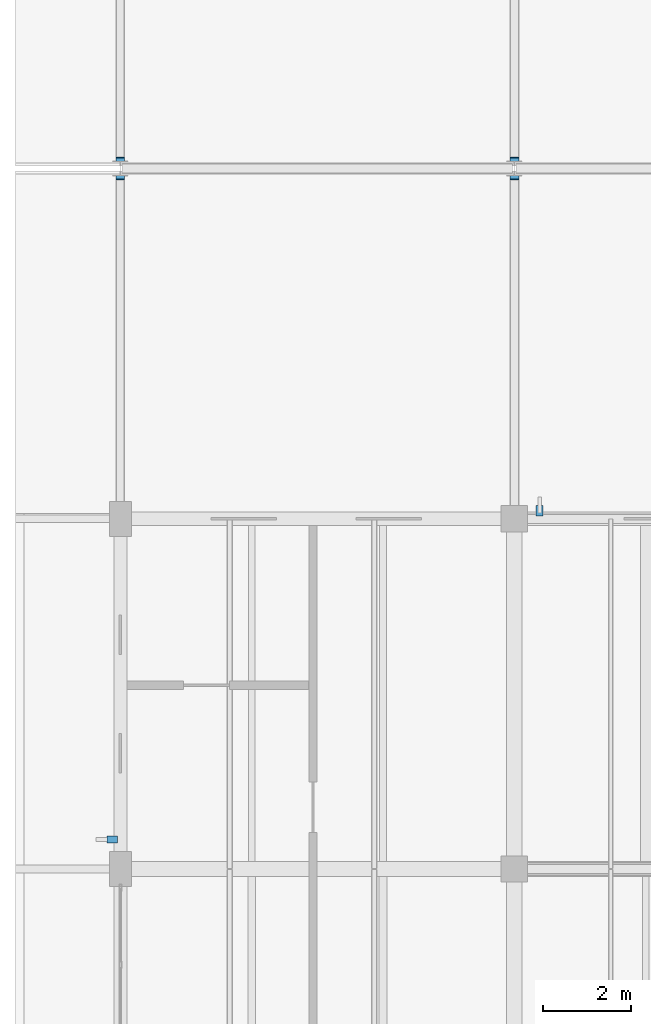
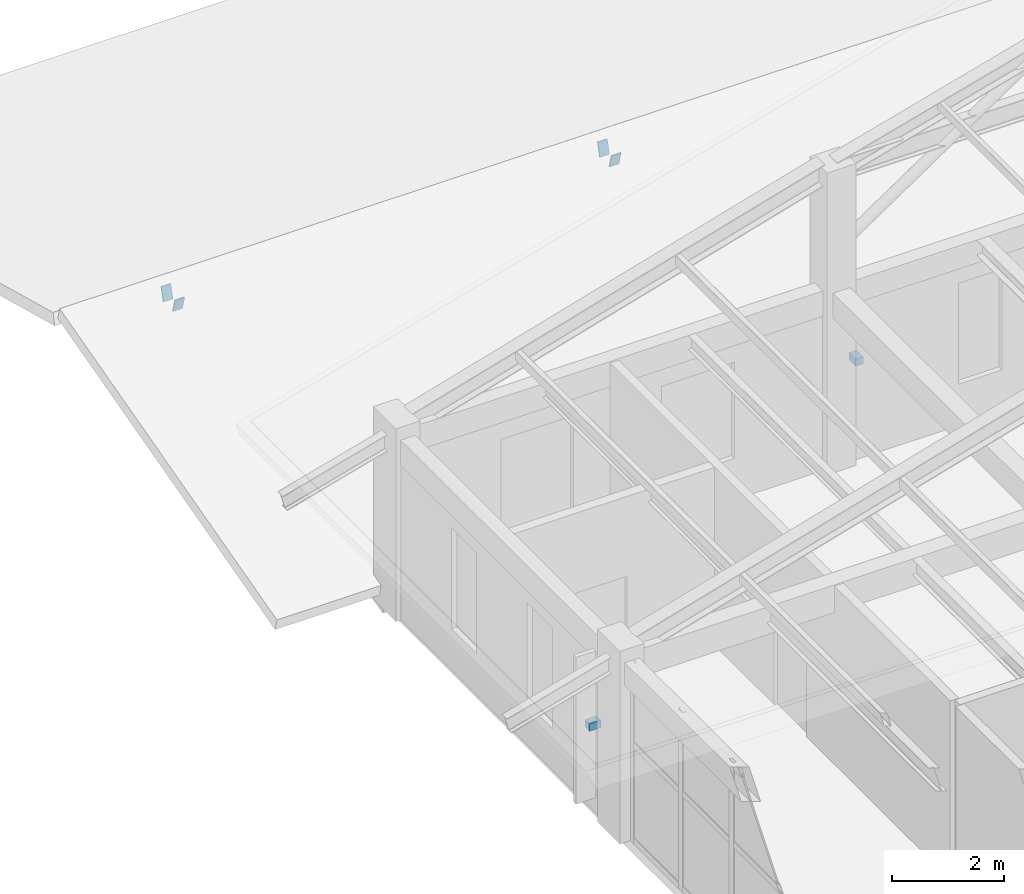
# One storey, part 51 of 58: 6 discrete accessories.
"""IFC4 building model written with IfcOpenShell, lengths in metres."""

import ifcopenshell
import ifcopenshell.guid

model = None  # the IFC model being written
_history = None  # IfcOwnerHistory: only IFC2X3 demands one
_inside = {}  # id of a spatial element -> (the spatial element, [elements in it])
_under = {}  # id of a project, library or spatial element -> (it, [spatial elements below it])
_declared = {}  # id of a project -> (the project, [libraries it declares])
_typed = {}  # id of a type object -> (the type object, [elements of that type])
_made_of = {}  # id of a material, layer set ... -> (it, [elements and type objects made of it])


def new_model(schema):
    """Start an empty IFC model of exactly this schema.

    Asked for "IFC4X3", IfcOpenShell would pick the latest addendum, in which some entities
    have other attributes; the version numbers below select the first issue.
    IFC2X3 requires an IfcOwnerHistory on every rooted entity: one is made here for all.
    """
    global model, _history
    if schema == "IFC4X3":
        model = ifcopenshell.file(schema_version=(4, 3, 0, 0))
    else:
        model = ifcopenshell.file(schema=schema)
    _inside.clear()
    _under.clear()
    _declared.clear()
    _typed.clear()
    _made_of.clear()
    _history = None
    if model.schema == "IFC2X3":
        org = make("IfcOrganization", Name="unknown")
        user = make(
            "IfcPersonAndOrganization",
            ThePerson=make("IfcPerson", FamilyName="unknown"),
            TheOrganization=org,
        )
        app = make(
            "IfcApplication",
            ApplicationDeveloper=org,
            Version="unknown",
            ApplicationFullName="unknown",
            ApplicationIdentifier="unknown",
        )
        _history = make(
            "IfcOwnerHistory",
            OwningUser=user,
            OwningApplication=app,
            ChangeAction="ADDED",
            CreationDate=0,
        )
    return model


def make(cls, **values):
    """One entity of the class cls with the attributes given. An attribute that is None is left unset."""
    return model.create_entity(
        cls, **{name: value for name, value in values.items() if value is not None}
    )


def rooted(cls, **values):
    """An entity with a GlobalId (a new one), such as an element, a storey or a relation."""
    return make(cls, GlobalId=ifcopenshell.guid.new(), OwnerHistory=_history, **values)


def si_unit(unit_type, name, prefix=None):
    """IfcSIUnit, for example si_unit("LENGTHUNIT", "METRE", prefix="MILLI")."""
    return make("IfcSIUnit", UnitType=unit_type, Prefix=prefix, Name=name)


def derived_unit(unit_type, elements):
    """IfcDerivedUnit: a product of units, each with its exponent."""
    return make(
        "IfcDerivedUnit",
        Elements=[
            make("IfcDerivedUnitElement", Unit=unit, Exponent=power)
            for unit, power in elements
        ],
        UnitType=unit_type,
    )


def assignment(units):
    """IfcUnitAssignment: the units of a project."""
    return None if units is None else make("IfcUnitAssignment", Units=units)


def point(xyz):
    """IfcCartesianPoint."""
    return None if xyz is None else make("IfcCartesianPoint", Coordinates=xyz)


def direction(xyz):
    """IfcDirection."""
    return None if xyz is None else make("IfcDirection", DirectionRatios=xyz)


def frame(location, z_axis=None, x_axis=None):
    """IfcAxis2Placement3D, a coordinate frame: its origin and axes. An axis left out is left unset."""
    return make(
        "IfcAxis2Placement3D",
        Location=point(location),
        Axis=direction(z_axis),
        RefDirection=direction(x_axis),
    )


def frame_2d(location, x_axis=None):
    """IfcAxis2Placement2D, a coordinate frame in the plane: its origin and x axis."""
    return make(
        "IfcAxis2Placement2D", Location=point(location), RefDirection=direction(x_axis)
    )


def origin():
    """The frame at (0, 0, 0) with its axes left unset."""
    return frame((0.0, 0.0, 0.0))


def origin_2d():
    """The frame at (0, 0) in the plane with its x axis left unset."""
    return frame_2d((0.0, 0.0))


def place(relative_to, where):
    """IfcLocalPlacement: puts the frame where relative to a parent placement (None: the world)."""
    return make(
        "IfcLocalPlacement", PlacementRelTo=relative_to, RelativePlacement=where
    )


def context(
    kind, dimensions, precision=None, world=None, true_north=None, identifier=None
):
    """IfcGeometricRepresentationContext, for example the 3D "Model" context."""
    return make(
        "IfcGeometricRepresentationContext",
        ContextIdentifier=identifier,
        ContextType=kind,
        CoordinateSpaceDimension=dimensions,
        Precision=precision,
        WorldCoordinateSystem=world,
        TrueNorth=true_north,
    )


def subcontext(parent, identifier, kind, view, scale=None):
    """IfcGeometricRepresentationSubContext, for example "Body" below "Model"."""
    return make(
        "IfcGeometricRepresentationSubContext",
        ContextIdentifier=identifier,
        ContextType=kind,
        ParentContext=parent,
        TargetScale=scale,
        TargetView=view,
    )


def project(units=None, contexts=None):
    """IfcProject with its units and contexts."""
    return rooted(
        "IfcProject",
        Name="project",
        RepresentationContexts=contexts,
        UnitsInContext=assignment(units),
    )


def spatial(cls, under=None, at=None, **own):
    """A site, building, storey or space (cls), placed at a placement, below another one or the project."""
    s = rooted(cls, ObjectPlacement=at, **own)
    if under is not None:
        _under.setdefault(under.id(), (under, []))[1].append(s)
    return s


def profile(cls, at=None, kind="AREA", **sizes):
    """A parametric profile (cls). Its sizes go by their IFC names, for example OverallWidth=200.0."""
    return make(cls, ProfileType=kind, Position=at, **sizes)


def rectangle(**sizes):
    """IfcRectangleProfileDef."""
    return profile("IfcRectangleProfileDef", **sizes)


def extrude(swept, where, along, depth):
    """IfcExtrudedAreaSolid: the profile swept, set in the frame where, extruded along a direction by depth."""
    return make(
        "IfcExtrudedAreaSolid",
        SweptArea=swept,
        Position=where,
        ExtrudedDirection=direction(along),
        Depth=depth,
    )


def shape(context_of_items, identifier, shape_type, items):
    """IfcShapeRepresentation: the items that make up one representation, for example the "Body"."""
    return make(
        "IfcShapeRepresentation",
        ContextOfItems=context_of_items,
        RepresentationIdentifier=identifier,
        RepresentationType=shape_type,
        Items=items,
    )


def material(Name=None, Category=None):
    """IfcMaterial."""
    return make("IfcMaterial", Name=Name, Category=Category)


def made_of(thing, what):
    """Note that an element or type object is made of a material, layer set ...; save() writes the relation."""
    if what is not None:
        _made_of.setdefault(what.id(), (what, []))[1].append(thing)
    return thing


def type_object(cls, material=None, **own):
    """A type object (cls), such as IfcWallType, which elements share."""
    return made_of(rooted(cls, **own), material)


def element(
    cls,
    number,
    at=None,
    inside=None,
    cuts=None,
    type_object=None,
    material=None,
    context=None,
    identifier="Body",
    shape_type=None,
    held_by="IfcProductDefinitionShape",
    body=None,
    shapes=None,
    **own,
):
    """One element of the class cls, such as IfcWall. Its Tag is "e" and its number.

    at: its placement. inside: the storey or other place that contains it. cuts: it is an
    opening in that element (IfcRelVoidsElement). A single representation is given by context,
    identifier, shape_type and body (its items); several are given by shapes. held_by: the class
    of the entity that holds the representations. save() writes the other relations.
    """
    e = rooted(cls, Tag="e%d" % number, ObjectPlacement=at, **own)
    if body is not None:
        shapes = [shape(context, identifier, shape_type, body)]
    if shapes is not None:
        e.Representation = make(held_by, Representations=shapes)
    if inside is not None:
        _inside.setdefault(inside.id(), (inside, []))[1].append(e)
    if cuts is not None:
        rooted(
            "IfcRelVoidsElement", RelatingBuildingElement=cuts, RelatedOpeningElement=e
        )
    if type_object is not None:
        _typed.setdefault(type_object.id(), (type_object, []))[1].append(e)
    return made_of(e, material)


def aggregate(whole, parts):
    """IfcRelAggregates: a whole, such as a stair, and the parts it consists of."""
    return rooted("IfcRelAggregates", RelatingObject=whole, RelatedObjects=parts)


def save(model, path):
    """Write the relations noted so far, then the file.

    IfcRelAggregates (storeys below a building ...), IfcRelContainedInSpatialStructure (elements
    in a storey), IfcRelDefinesByType, IfcRelAssociatesMaterial and IfcRelDeclares: one each for
    every whole, place, type object, material and project.
    """
    for whole, parts in _under.values():
        aggregate(whole, parts)
    for where, things in _inside.values():
        rooted(
            "IfcRelContainedInSpatialStructure",
            RelatedElements=things,
            RelatingStructure=where,
        )
    for kind, things in _typed.values():
        rooted("IfcRelDefinesByType", RelatedObjects=things, RelatingType=kind)
    for what, things in _made_of.values():
        rooted("IfcRelAssociatesMaterial", RelatedObjects=things, RelatingMaterial=what)
    for by, libraries in _declared.values():
        rooted("IfcRelDeclares", RelatingContext=by, RelatedDefinitions=libraries)
    model.write(path)


model = new_model("IFC4")

# Units and contexts
model_context = context("Model", 3, precision=1e-05, world=origin(), true_north=direction((0.0, 1.0)))
body_context = subcontext(model_context, "Body", "Model", "MODEL_VIEW")
ifc_project = project(units=[si_unit("LENGTHUNIT", "METRE"), si_unit("AREAUNIT", "SQUARE_METRE"), si_unit("VOLUMEUNIT", "CUBIC_METRE"), si_unit("PLANEANGLEUNIT", "RADIAN"), si_unit("MASSUNIT", "GRAM", prefix="KILO"), derived_unit("THERMALTRANSMITTANCEUNIT", [(si_unit("MASSUNIT", "GRAM", prefix="KILO"), 1), (si_unit("TIMEUNIT", "SECOND"), -3), (si_unit("THERMODYNAMICTEMPERATUREUNIT", "KELVIN"), -1)])], contexts=[model_context])

# Site, building, storey
site_placement = place(None, origin())
site = spatial("IfcSite", under=ifc_project, at=site_placement, CompositionType="ELEMENT")
building_placement = place(site_placement, origin())
building = spatial("IfcBuilding", under=site, at=building_placement, Name="Zhenchuan Archway Interchange", CompositionType="ELEMENT")
storey_placement = place(building_placement, frame((0.0, 0.0, 22.800048828125)))
storey = spatial("IfcBuildingStorey", under=building, at=storey_placement, Name="L05", CompositionType="ELEMENT", Elevation=22.800048828125)

# Discrete accessories
ifc_material_1 = material(Name="Stainless Steel 316", Category="steel")
discrete_accessory_type_1 = type_object("IfcDiscreteAccessoryType", Name="BRK_SHD_1", PredefinedType="BRACKET", material=ifc_material_1)
for number, where, z_axis, x_axis, name in (
    (1, (143.820068359375, 80.677978515625, 1.8701171875), (0.0, 0.0, 1.0), (0.0, 1.0, 0.0), "Solar fin stainless fixing bracket L05-144"),
    (2, (153.577880859375, 88.179931640625, 1.8701171875), (0.0, 0.0, 1.0), (1.0, 0.0, 0.0), "Solar fin stainless fixing bracket L05-145"),
):
    element("IfcDiscreteAccessory", number, at=place(storey_placement, frame(where, z_axis=z_axis, x_axis=x_axis)), inside=storey, type_object=discrete_accessory_type_1, Name=name, PredefinedType="BRACKET", context=body_context, shape_type="SweptSolid", body=[
        extrude(rectangle(XDim=0.159912109375, YDim=0.239990234375, at=origin_2d()), origin(), (0.0, 0.0, 1.0), 0.159912109375),
    ])
ifc_material_2 = material(Name="Steel Q355", Category="steel")
discrete_accessory_type_2 = type_object("IfcDiscreteAccessoryType", Name="CAP_MB_RHS300", PredefinedType="USERDEFINED", material=ifc_material_2)
for number, where, z_axis, x_axis, name in (
    (3, (144.0, 95.780029296875, 1.85986328125), (0.0, 0.964763821238, 0.263117405792), (-1.0, 0.0, 0.0), "End plate at the end of East bar N rafter X144-1"),
    (4, (144.0, 96.19580078125, 1.866455078125), (0.0, 0.964763821238, -0.263117405792), (-1.0, 0.0, 0.0), "End plate at the start of East bar N rafter X144-2"),
    (5, (153.0, 95.780029296875, 1.85986328125), (0.0, 0.964763821238, 0.263117405792), (-1.0, 0.0, 0.0), "End plate at the end of East bar N rafter X153-1"),
    (6, (153.0, 96.19580078125, 1.866455078125), (0.0, 0.964763821238, -0.263117405792), (-1.0, 0.0, 0.0), "End plate at the start of East bar N rafter X153-2"),
):
    element("IfcDiscreteAccessory", number, at=place(storey_placement, frame(where, z_axis=z_axis, x_axis=x_axis)), inside=storey, type_object=discrete_accessory_type_2, Name=name, ObjectType="END PLATE", PredefinedType="USERDEFINED", context=body_context, shape_type="SweptSolid", body=[
        extrude(rectangle(XDim=0.199951171875, YDim=0.300048828125, at=origin_2d()), origin(), (0.0, 0.0, 1.0), 0.025146484375),
    ])

save(model, "model.ifc")
